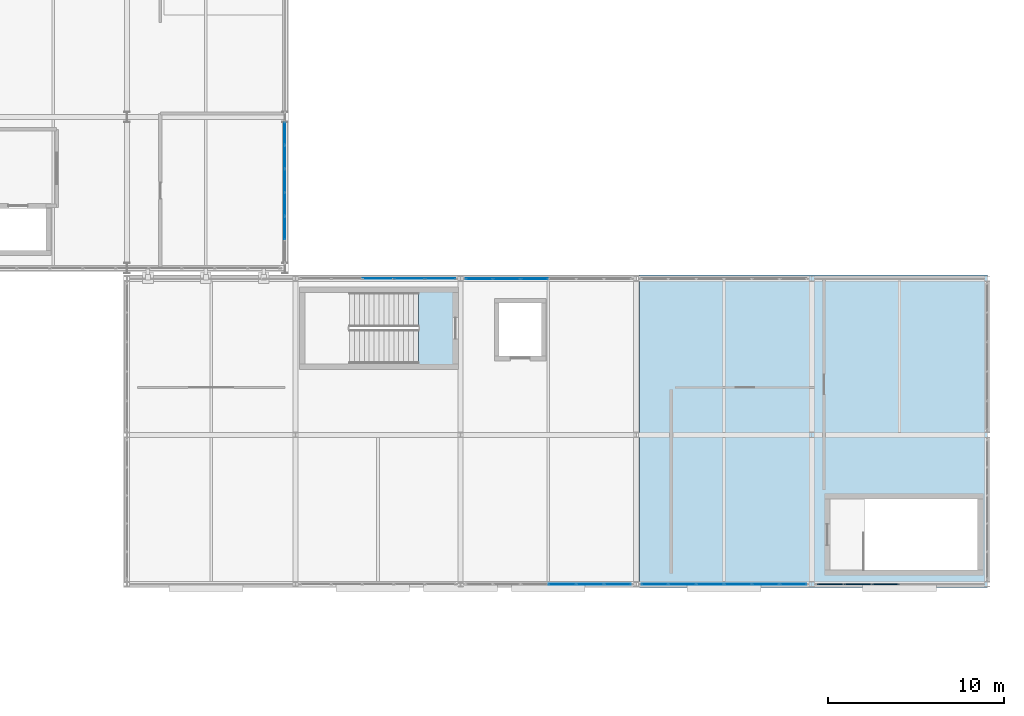
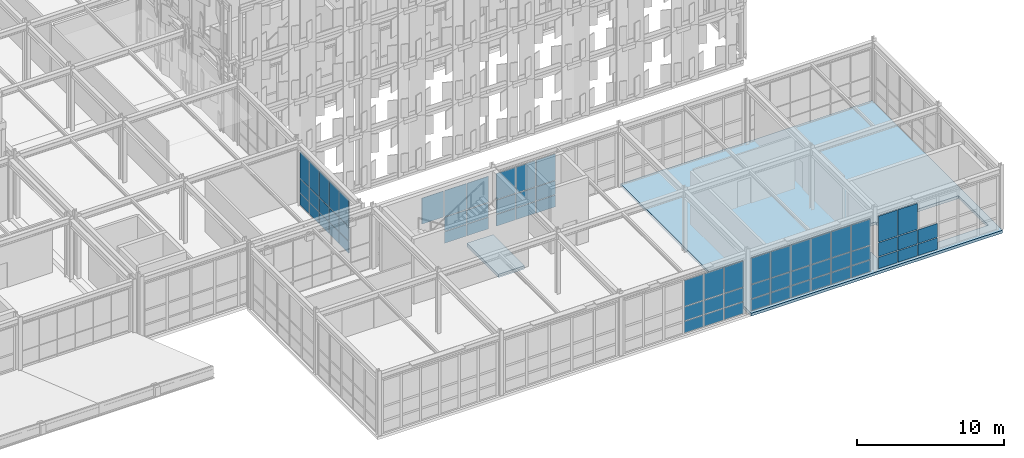
# One storey, part 192 of 239: 66 plates, 2 slabs, 6 elements without a shape of their own.
"""IFC4 building model written with IfcOpenShell, lengths in metres."""

from ifc_helpers import new_model, si_unit, direction, frame, origin, origin_2d, place, context, subcontext, project, spatial, polyline, rectangle, outline, extrude, material, layer, layer_set, type_object, element, aggregate, save


model = new_model("IFC4")

# Units and contexts
model_context = context("Model", 3, precision=1e-05, world=origin(), true_north=direction((0.0, 1.0)))
body_context = subcontext(model_context, "Body", "Model", "MODEL_VIEW")
ifc_project = project(units=[si_unit("LENGTHUNIT", "METRE"), si_unit("AREAUNIT", "SQUARE_METRE"), si_unit("VOLUMEUNIT", "CUBIC_METRE"), si_unit("PLANEANGLEUNIT", "RADIAN"), si_unit("MASSUNIT", "GRAM", prefix="KILO")], contexts=[model_context])

# Site, building, storey
site_placement = place(None, origin())
site = spatial("IfcSite", under=ifc_project, at=site_placement, CompositionType="ELEMENT")
building_placement = place(site_placement, origin())
building = spatial("IfcBuilding", under=site, at=building_placement, Name="Kaldris Quays Convention Centre", CompositionType="ELEMENT")
storey_placement = place(building_placement, frame((0.0, 0.0, 11.39990234375)))
storey = spatial("IfcBuildingStorey", under=building, at=storey_placement, Name="L02", CompositionType="ELEMENT", Elevation=11.39990234375)

# Curtain wall, plates
ifc_material_1 = material(Name="Anodized aluminium AW-6060 and triple glazing", Category="aluminium")
curtain_wall_type_1 = type_object("IfcCurtainWallType", Name="UNITISED CURTAIN WALL CW02", PredefinedType="NOTDEFINED", material=ifc_material_1)
curtain_wall_1_placement = place(storey_placement, origin())
curtain_wall_1 = element("IfcCurtainWall", 1, at=curtain_wall_1_placement, inside=storey, type_object=curtain_wall_type_1, Name="L02 Unitised Curtain Wall CW02 202", PredefinedType="NOTDEFINED")
ifc_material_2 = material(Name="Triple low-E insulated glazing", Category="glass")
plate_type_1 = type_object("IfcPlateType", Name="CURTAIN GLAZING PANEL CWP2", PredefinedType="CURTAIN_PANEL", material=ifc_material_2)
plate_1_placement = place(storey_placement, frame((169.300048828125, 37.39990234375, 2.279296875), z_axis=(0.0, 0.0, 1.0), x_axis=(1.0, 0.0, 0.0)))
plate_1 = element("IfcPlate", 2, at=plate_1_placement, type_object=plate_type_1, Name="CW02 panel 3.3", PredefinedType="CURTAIN_PANEL", context=body_context, shape_type="SweptSolid", body=[
    extrude(rectangle(XDim=1.719970703125, YDim=0.033935546875, at=origin_2d()), origin(), (0.0, 0.0, 1.0), 2.158935546875),
])
plate_2_placement = place(storey_placement, frame((171.080078125, 37.39990234375, 0.06005859375), z_axis=(0.0, 0.0, 1.0), x_axis=(1.0, 0.0, 0.0)))
plate_2 = element("IfcPlate", 3, at=plate_2_placement, type_object=plate_type_1, Name="CW02 panel 4.1", PredefinedType="CURTAIN_PANEL", context=body_context, shape_type="SweptSolid", body=[
    extrude(rectangle(XDim=1.719970703125, YDim=0.033935546875, at=origin_2d()), origin(), (0.0, 0.0, 1.0), 0.9599609375),
])
plate_3_placement = place(storey_placement, frame((171.080078125, 37.39990234375, 1.080078125), z_axis=(0.0, 0.0, 1.0), x_axis=(1.0, 0.0, 0.0)))
plate_3 = element("IfcPlate", 4, at=plate_3_placement, type_object=plate_type_1, Name="CW02 panel 4.2", PredefinedType="CURTAIN_PANEL", context=body_context, shape_type="SweptSolid", body=[
    extrude(rectangle(XDim=1.719970703125, YDim=0.033935546875, at=origin_2d()), origin(), (0.0, 0.0, 1.0), 1.138916015625),
])
plate_4_placement = place(storey_placement, frame((171.080078125, 37.39990234375, 2.279296875), z_axis=(0.0, 0.0, 1.0), x_axis=(1.0, 0.0, 0.0)))
plate_4 = element("IfcPlate", 5, at=plate_4_placement, type_object=plate_type_1, Name="CW02 panel 4.3", PredefinedType="CURTAIN_PANEL", context=body_context, shape_type="SweptSolid", body=[
    extrude(rectangle(XDim=1.719970703125, YDim=0.033935546875, at=origin_2d()), origin(), (0.0, 0.0, 1.0), 2.158935546875),
])
plate_5_placement = place(storey_placement, frame((172.844970703125, 37.39990234375, 0.06005859375), z_axis=(0.0, 0.0, 1.0), x_axis=(1.0, 0.0, 0.0)))
plate_5 = element("IfcPlate", 6, at=plate_5_placement, type_object=plate_type_1, Name="CW02 panel 5.1", PredefinedType="CURTAIN_PANEL", context=body_context, shape_type="SweptSolid", body=[
    extrude(rectangle(XDim=1.68994140625, YDim=0.033935546875, at=origin_2d()), origin(), (0.0, 0.0, 1.0), 0.9599609375),
])
plate_6_placement = place(storey_placement, frame((172.844970703125, 37.39990234375, 1.080078125), z_axis=(0.0, 0.0, 1.0), x_axis=(1.0, 0.0, 0.0)))
plate_6 = element("IfcPlate", 7, at=plate_6_placement, type_object=plate_type_1, Name="CW02 panel 5.2", PredefinedType="CURTAIN_PANEL", context=body_context, shape_type="SweptSolid", body=[
    extrude(rectangle(XDim=1.68994140625, YDim=0.033935546875, at=origin_2d()), origin(), (0.0, 0.0, 1.0), 1.138916015625),
])
plate_7_placement = place(storey_placement, frame((172.844970703125, 37.39990234375, 2.279296875), z_axis=(0.0, 0.0, 1.0), x_axis=(1.0, 0.0, 0.0)))
plate_7 = element("IfcPlate", 8, at=plate_7_placement, type_object=plate_type_1, Name="CW02 panel 5.3", PredefinedType="CURTAIN_PANEL", context=body_context, shape_type="SweptSolid", body=[
    extrude(rectangle(XDim=1.68994140625, YDim=0.033935546875, at=origin_2d()), origin(), (0.0, 0.0, 1.0), 2.158935546875),
])
aggregate(curtain_wall_1, [plate_1, plate_2, plate_3, plate_4, plate_5, plate_6, plate_7])

curtain_wall_2_placement = place(storey_placement, origin())
curtain_wall_2 = element("IfcCurtainWall", 9, at=curtain_wall_2_placement, inside=storey, type_object=curtain_wall_type_1, Name="L02 Unitised Curtain Wall CW02 203", PredefinedType="NOTDEFINED")
plate_type_2 = type_object("IfcPlateType", Name="CURTAIN GLAZING PANEL CWP3", PredefinedType="CURTAIN_PANEL", material=ifc_material_2)
plate_8_placement = place(storey_placement, frame((179.791748046875, 20.0, 0.06005859375), z_axis=(0.0, 0.0, 1.0), x_axis=(1.0, 0.0, 0.0)))
plate_8 = element("IfcPlate", 10, at=plate_8_placement, type_object=plate_type_2, Name="CW02 panel 4.1", PredefinedType="CURTAIN_PANEL", context=body_context, shape_type="SweptSolid", body=[
    extrude(rectangle(XDim=1.5234375, YDim=0.0390625, at=origin_2d()), origin(), (0.0, 0.0, 1.0), 0.9599609375),
])
plate_9_placement = place(storey_placement, frame((179.791748046875, 20.0, 1.080078125), z_axis=(0.0, 0.0, 1.0), x_axis=(1.0, 0.0, 0.0)))
plate_9 = element("IfcPlate", 11, at=plate_9_placement, type_object=plate_type_2, Name="CW02 panel 4.2", PredefinedType="CURTAIN_PANEL", context=body_context, shape_type="SweptSolid", body=[
    extrude(rectangle(XDim=1.5234375, YDim=0.0390625, at=origin_2d()), origin(), (0.0, 0.0, 1.0), 1.138916015625),
])
plate_10_placement = place(storey_placement, frame((179.791748046875, 20.0, 2.279296875), z_axis=(0.0, 0.0, 1.0), x_axis=(1.0, 0.0, 0.0)))
plate_10 = element("IfcPlate", 12, at=plate_10_placement, type_object=plate_type_2, Name="CW02 panel 4.3", PredefinedType="CURTAIN_PANEL", context=body_context, shape_type="SweptSolid", body=[
    extrude(rectangle(XDim=1.5234375, YDim=0.0390625, at=origin_2d()), origin(), (0.0, 0.0, 1.0), 2.158935546875),
])
plate_11_placement = place(storey_placement, frame((181.375, 20.0, 0.06005859375), z_axis=(0.0, 0.0, 1.0), x_axis=(1.0, 0.0, 0.0)))
plate_11 = element("IfcPlate", 13, at=plate_11_placement, type_object=plate_type_2, Name="CW02 panel 5.1", PredefinedType="CURTAIN_PANEL", context=body_context, shape_type="SweptSolid", body=[
    extrude(rectangle(XDim=1.5234375, YDim=0.0390625, at=origin_2d()), origin(), (0.0, 0.0, 1.0), 0.9599609375),
])
plate_12_placement = place(storey_placement, frame((181.375, 20.0, 1.080078125), z_axis=(0.0, 0.0, 1.0), x_axis=(1.0, 0.0, 0.0)))
plate_12 = element("IfcPlate", 14, at=plate_12_placement, type_object=plate_type_2, Name="CW02 panel 5.2", PredefinedType="CURTAIN_PANEL", context=body_context, shape_type="SweptSolid", body=[
    extrude(rectangle(XDim=1.5234375, YDim=0.0390625, at=origin_2d()), origin(), (0.0, 0.0, 1.0), 1.138916015625),
])
plate_13_placement = place(storey_placement, frame((181.375, 20.0, 2.279296875), z_axis=(0.0, 0.0, 1.0), x_axis=(1.0, 0.0, 0.0)))
plate_13 = element("IfcPlate", 15, at=plate_13_placement, type_object=plate_type_2, Name="CW02 panel 5.3", PredefinedType="CURTAIN_PANEL", context=body_context, shape_type="SweptSolid", body=[
    extrude(rectangle(XDim=1.5234375, YDim=0.0390625, at=origin_2d()), origin(), (0.0, 0.0, 1.0), 2.158935546875),
])
plate_14_placement = place(storey_placement, frame((182.943359375, 20.0, 0.06005859375), z_axis=(0.0, 0.0, 1.0), x_axis=(1.0, 0.0, 0.0)))
plate_14 = element("IfcPlate", 16, at=plate_14_placement, type_object=plate_type_2, Name="CW02 panel 6.1", PredefinedType="CURTAIN_PANEL", context=body_context, shape_type="SweptSolid", body=[
    extrude(rectangle(XDim=1.493408203125, YDim=0.0390625, at=origin_2d()), origin(), (0.0, 0.0, 1.0), 0.9599609375),
])
plate_15_placement = place(storey_placement, frame((182.943359375, 20.0, 1.080078125), z_axis=(0.0, 0.0, 1.0), x_axis=(1.0, 0.0, 0.0)))
plate_15 = element("IfcPlate", 17, at=plate_15_placement, type_object=plate_type_2, Name="CW02 panel 6.2", PredefinedType="CURTAIN_PANEL", context=body_context, shape_type="SweptSolid", body=[
    extrude(rectangle(XDim=1.493408203125, YDim=0.0390625, at=origin_2d()), origin(), (0.0, 0.0, 1.0), 1.138916015625),
])
plate_16_placement = place(storey_placement, frame((182.943359375, 20.0, 2.279296875), z_axis=(0.0, 0.0, 1.0), x_axis=(1.0, 0.0, 0.0)))
plate_16 = element("IfcPlate", 18, at=plate_16_placement, type_object=plate_type_2, Name="CW02 panel 6.3", PredefinedType="CURTAIN_PANEL", context=body_context, shape_type="SweptSolid", body=[
    extrude(rectangle(XDim=1.493408203125, YDim=0.0390625, at=origin_2d()), origin(), (0.0, 0.0, 1.0), 2.158935546875),
])
aggregate(curtain_wall_2, [plate_8, plate_9, plate_10, plate_11, plate_12, plate_13, plate_14, plate_15, plate_16])

curtain_wall_3_placement = place(storey_placement, origin())
curtain_wall_3 = element("IfcCurtainWall", 19, at=curtain_wall_3_placement, inside=storey, type_object=curtain_wall_type_1, Name="L02 Unitised Curtain Wall CW02 204", PredefinedType="NOTDEFINED")
plate_type_3 = type_object("IfcPlateType", Name="CURTAIN GLAZING PANEL CWP4", PredefinedType="CURTAIN_PANEL", material=ifc_material_2)
plate_17_placement = place(storey_placement, frame((175.056640625, 37.39990234375, 0.06005859375), z_axis=(0.0, 0.0, 1.0), x_axis=(1.0, 0.0, 0.0)))
plate_17 = element("IfcPlate", 20, at=plate_17_placement, type_object=plate_type_3, Name="CW02 panel 1.1", PredefinedType="CURTAIN_PANEL", context=body_context, shape_type="SweptSolid", body=[
    extrude(rectangle(XDim=1.493408203125, YDim=0.0439453125, at=origin_2d()), origin(), (0.0, 0.0, 1.0), 0.9599609375),
])
plate_18_placement = place(storey_placement, frame((175.056640625, 37.39990234375, 1.080078125), z_axis=(0.0, 0.0, 1.0), x_axis=(1.0, 0.0, 0.0)))
plate_18 = element("IfcPlate", 21, at=plate_18_placement, type_object=plate_type_3, Name="CW02 panel 1.2", PredefinedType="CURTAIN_PANEL", context=body_context, shape_type="SweptSolid", body=[
    extrude(rectangle(XDim=1.493408203125, YDim=0.0439453125, at=origin_2d()), origin(), (0.0, 0.0, 1.0), 1.138916015625),
])
plate_19_placement = place(storey_placement, frame((175.056640625, 37.39990234375, 2.279296875), z_axis=(0.0, 0.0, 1.0), x_axis=(1.0, 0.0, 0.0)))
plate_19 = element("IfcPlate", 22, at=plate_19_placement, type_object=plate_type_3, Name="CW02 panel 1.3", PredefinedType="CURTAIN_PANEL", context=body_context, shape_type="SweptSolid", body=[
    extrude(rectangle(XDim=1.493408203125, YDim=0.0439453125, at=origin_2d()), origin(), (0.0, 0.0, 1.0), 2.158935546875),
])
plate_20_placement = place(storey_placement, frame((176.625, 37.39990234375, 0.06005859375), z_axis=(0.0, 0.0, 1.0), x_axis=(1.0, 0.0, 0.0)))
plate_20 = element("IfcPlate", 23, at=plate_20_placement, type_object=plate_type_3, Name="CW02 panel 2.1", PredefinedType="CURTAIN_PANEL", context=body_context, shape_type="SweptSolid", body=[
    extrude(rectangle(XDim=1.5234375, YDim=0.0439453125, at=origin_2d()), origin(), (0.0, 0.0, 1.0), 0.9599609375),
])
plate_21_placement = place(storey_placement, frame((176.625, 37.39990234375, 1.080078125), z_axis=(0.0, 0.0, 1.0), x_axis=(1.0, 0.0, 0.0)))
plate_21 = element("IfcPlate", 24, at=plate_21_placement, type_object=plate_type_3, Name="CW02 panel 2.2", PredefinedType="CURTAIN_PANEL", context=body_context, shape_type="SweptSolid", body=[
    extrude(rectangle(XDim=1.5234375, YDim=0.0439453125, at=origin_2d()), origin(), (0.0, 0.0, 1.0), 1.138916015625),
])
plate_22_placement = place(storey_placement, frame((176.625, 37.39990234375, 2.279296875), z_axis=(0.0, 0.0, 1.0), x_axis=(1.0, 0.0, 0.0)))
plate_22 = element("IfcPlate", 25, at=plate_22_placement, type_object=plate_type_3, Name="CW02 panel 2.3", PredefinedType="CURTAIN_PANEL", context=body_context, shape_type="SweptSolid", body=[
    extrude(rectangle(XDim=1.5234375, YDim=0.0439453125, at=origin_2d()), origin(), (0.0, 0.0, 1.0), 2.158935546875),
])
plate_23_placement = place(storey_placement, frame((178.208251953125, 37.39990234375, 0.06005859375), z_axis=(0.0, 0.0, 1.0), x_axis=(1.0, 0.0, 0.0)))
plate_23 = element("IfcPlate", 26, at=plate_23_placement, type_object=plate_type_3, Name="CW02 panel 3.1", PredefinedType="CURTAIN_PANEL", context=body_context, shape_type="SweptSolid", body=[
    extrude(rectangle(XDim=1.5234375, YDim=0.0439453125, at=origin_2d()), origin(), (0.0, 0.0, 1.0), 0.9599609375),
])
plate_24_placement = place(storey_placement, frame((178.208251953125, 37.39990234375, 1.080078125), z_axis=(0.0, 0.0, 1.0), x_axis=(1.0, 0.0, 0.0)))
plate_24 = element("IfcPlate", 27, at=plate_24_placement, type_object=plate_type_3, Name="CW02 panel 3.2", PredefinedType="CURTAIN_PANEL", context=body_context, shape_type="SweptSolid", body=[
    extrude(rectangle(XDim=1.5234375, YDim=0.0439453125, at=origin_2d()), origin(), (0.0, 0.0, 1.0), 1.138916015625),
])
plate_25_placement = place(storey_placement, frame((178.208251953125, 37.39990234375, 2.279296875), z_axis=(0.0, 0.0, 1.0), x_axis=(1.0, 0.0, 0.0)))
plate_25 = element("IfcPlate", 28, at=plate_25_placement, type_object=plate_type_3, Name="CW02 panel 3.3", PredefinedType="CURTAIN_PANEL", context=body_context, shape_type="SweptSolid", body=[
    extrude(rectangle(XDim=1.5234375, YDim=0.0439453125, at=origin_2d()), origin(), (0.0, 0.0, 1.0), 2.158935546875),
])
aggregate(curtain_wall_3, [plate_17, plate_18, plate_19, plate_20, plate_21, plate_22, plate_23, plate_24, plate_25])

curtain_wall_4_placement = place(storey_placement, origin())
curtain_wall_4 = element("IfcCurtainWall", 29, at=curtain_wall_4_placement, inside=storey, type_object=curtain_wall_type_1, Name="L02 Unitised Curtain Wall CW02 205", PredefinedType="NOTDEFINED")
plate_type_4 = type_object("IfcPlateType", Name="CURTAIN GLAZING PANEL CWP5", PredefinedType="CURTAIN_PANEL", material=ifc_material_2)
plate_26_placement = place(storey_placement, frame((185.056640625, 20.0, 0.06005859375), z_axis=(0.0, 0.0, 1.0), x_axis=(1.0, 0.0, 0.0)))
plate_26 = element("IfcPlate", 30, at=plate_26_placement, type_object=plate_type_4, Name="CW02 panel 1.1", PredefinedType="CURTAIN_PANEL", context=body_context, shape_type="SweptSolid", body=[
    extrude(rectangle(XDim=1.493408203125, YDim=0.049072265625, at=origin_2d()), origin(), (0.0, 0.0, 1.0), 0.9599609375),
])
plate_27_placement = place(storey_placement, frame((185.056640625, 20.0, 1.080078125), z_axis=(0.0, 0.0, 1.0), x_axis=(1.0, 0.0, 0.0)))
plate_27 = element("IfcPlate", 31, at=plate_27_placement, type_object=plate_type_4, Name="CW02 panel 1.2", PredefinedType="CURTAIN_PANEL", context=body_context, shape_type="SweptSolid", body=[
    extrude(rectangle(XDim=1.493408203125, YDim=0.049072265625, at=origin_2d()), origin(), (0.0, 0.0, 1.0), 1.138916015625),
])
plate_28_placement = place(storey_placement, frame((185.056640625, 20.0, 2.279296875), z_axis=(0.0, 0.0, 1.0), x_axis=(1.0, 0.0, 0.0)))
plate_28 = element("IfcPlate", 32, at=plate_28_placement, type_object=plate_type_4, Name="CW02 panel 1.3", PredefinedType="CURTAIN_PANEL", context=body_context, shape_type="SweptSolid", body=[
    extrude(rectangle(XDim=1.493408203125, YDim=0.049072265625, at=origin_2d()), origin(), (0.0, 0.0, 1.0), 2.158935546875),
])
plate_29_placement = place(storey_placement, frame((186.625, 20.0, 0.06005859375), z_axis=(0.0, 0.0, 1.0), x_axis=(1.0, 0.0, 0.0)))
plate_29 = element("IfcPlate", 33, at=plate_29_placement, type_object=plate_type_4, Name="CW02 panel 2.1", PredefinedType="CURTAIN_PANEL", context=body_context, shape_type="SweptSolid", body=[
    extrude(rectangle(XDim=1.5234375, YDim=0.049072265625, at=origin_2d()), origin(), (0.0, 0.0, 1.0), 0.9599609375),
])
plate_30_placement = place(storey_placement, frame((186.625, 20.0, 1.080078125), z_axis=(0.0, 0.0, 1.0), x_axis=(1.0, 0.0, 0.0)))
plate_30 = element("IfcPlate", 34, at=plate_30_placement, type_object=plate_type_4, Name="CW02 panel 2.2", PredefinedType="CURTAIN_PANEL", context=body_context, shape_type="SweptSolid", body=[
    extrude(rectangle(XDim=1.5234375, YDim=0.049072265625, at=origin_2d()), origin(), (0.0, 0.0, 1.0), 1.138916015625),
])
plate_31_placement = place(storey_placement, frame((186.625, 20.0, 2.279296875), z_axis=(0.0, 0.0, 1.0), x_axis=(1.0, 0.0, 0.0)))
plate_31 = element("IfcPlate", 35, at=plate_31_placement, type_object=plate_type_4, Name="CW02 panel 2.3", PredefinedType="CURTAIN_PANEL", context=body_context, shape_type="SweptSolid", body=[
    extrude(rectangle(XDim=1.5234375, YDim=0.049072265625, at=origin_2d()), origin(), (0.0, 0.0, 1.0), 2.158935546875),
])
plate_32_placement = place(storey_placement, frame((188.208251953125, 20.0, 0.06005859375), z_axis=(0.0, 0.0, 1.0), x_axis=(1.0, 0.0, 0.0)))
plate_32 = element("IfcPlate", 36, at=plate_32_placement, type_object=plate_type_4, Name="CW02 panel 3.1", PredefinedType="CURTAIN_PANEL", context=body_context, shape_type="SweptSolid", body=[
    extrude(rectangle(XDim=1.5234375, YDim=0.049072265625, at=origin_2d()), origin(), (0.0, 0.0, 1.0), 0.9599609375),
])
plate_33_placement = place(storey_placement, frame((188.208251953125, 20.0, 1.080078125), z_axis=(0.0, 0.0, 1.0), x_axis=(1.0, 0.0, 0.0)))
plate_33 = element("IfcPlate", 37, at=plate_33_placement, type_object=plate_type_4, Name="CW02 panel 3.2", PredefinedType="CURTAIN_PANEL", context=body_context, shape_type="SweptSolid", body=[
    extrude(rectangle(XDim=1.5234375, YDim=0.049072265625, at=origin_2d()), origin(), (0.0, 0.0, 1.0), 1.138916015625),
])
plate_34_placement = place(storey_placement, frame((188.208251953125, 20.0, 2.279296875), z_axis=(0.0, 0.0, 1.0), x_axis=(1.0, 0.0, 0.0)))
plate_34 = element("IfcPlate", 38, at=plate_34_placement, type_object=plate_type_4, Name="CW02 panel 3.3", PredefinedType="CURTAIN_PANEL", context=body_context, shape_type="SweptSolid", body=[
    extrude(rectangle(XDim=1.5234375, YDim=0.049072265625, at=origin_2d()), origin(), (0.0, 0.0, 1.0), 2.158935546875),
])
plate_35_placement = place(storey_placement, frame((189.791748046875, 20.0, 0.06005859375), z_axis=(0.0, 0.0, 1.0), x_axis=(1.0, 0.0, 0.0)))
plate_35 = element("IfcPlate", 39, at=plate_35_placement, type_object=plate_type_4, Name="CW02 panel 4.1", PredefinedType="CURTAIN_PANEL", context=body_context, shape_type="SweptSolid", body=[
    extrude(rectangle(XDim=1.5234375, YDim=0.049072265625, at=origin_2d()), origin(), (0.0, 0.0, 1.0), 0.9599609375),
])
plate_36_placement = place(storey_placement, frame((189.791748046875, 20.0, 1.080078125), z_axis=(0.0, 0.0, 1.0), x_axis=(1.0, 0.0, 0.0)))
plate_36 = element("IfcPlate", 40, at=plate_36_placement, type_object=plate_type_4, Name="CW02 panel 4.2", PredefinedType="CURTAIN_PANEL", context=body_context, shape_type="SweptSolid", body=[
    extrude(rectangle(XDim=1.5234375, YDim=0.049072265625, at=origin_2d()), origin(), (0.0, 0.0, 1.0), 1.138916015625),
])
plate_37_placement = place(storey_placement, frame((189.791748046875, 20.0, 2.279296875), z_axis=(0.0, 0.0, 1.0), x_axis=(1.0, 0.0, 0.0)))
plate_37 = element("IfcPlate", 41, at=plate_37_placement, type_object=plate_type_4, Name="CW02 panel 4.3", PredefinedType="CURTAIN_PANEL", context=body_context, shape_type="SweptSolid", body=[
    extrude(rectangle(XDim=1.5234375, YDim=0.049072265625, at=origin_2d()), origin(), (0.0, 0.0, 1.0), 2.158935546875),
])
plate_38_placement = place(storey_placement, frame((191.375, 20.0, 0.06005859375), z_axis=(0.0, 0.0, 1.0), x_axis=(1.0, 0.0, 0.0)))
plate_38 = element("IfcPlate", 42, at=plate_38_placement, type_object=plate_type_4, Name="CW02 panel 5.1", PredefinedType="CURTAIN_PANEL", context=body_context, shape_type="SweptSolid", body=[
    extrude(rectangle(XDim=1.5234375, YDim=0.049072265625, at=origin_2d()), origin(), (0.0, 0.0, 1.0), 0.9599609375),
])
plate_39_placement = place(storey_placement, frame((191.375, 20.0, 1.080078125), z_axis=(0.0, 0.0, 1.0), x_axis=(1.0, 0.0, 0.0)))
plate_39 = element("IfcPlate", 43, at=plate_39_placement, type_object=plate_type_4, Name="CW02 panel 5.2", PredefinedType="CURTAIN_PANEL", context=body_context, shape_type="SweptSolid", body=[
    extrude(rectangle(XDim=1.5234375, YDim=0.049072265625, at=origin_2d()), origin(), (0.0, 0.0, 1.0), 1.138916015625),
])
plate_40_placement = place(storey_placement, frame((191.375, 20.0, 2.279296875), z_axis=(0.0, 0.0, 1.0), x_axis=(1.0, 0.0, 0.0)))
plate_40 = element("IfcPlate", 44, at=plate_40_placement, type_object=plate_type_4, Name="CW02 panel 5.3", PredefinedType="CURTAIN_PANEL", context=body_context, shape_type="SweptSolid", body=[
    extrude(rectangle(XDim=1.5234375, YDim=0.049072265625, at=origin_2d()), origin(), (0.0, 0.0, 1.0), 2.158935546875),
])
plate_41_placement = place(storey_placement, frame((192.943359375, 20.0, 0.06005859375), z_axis=(0.0, 0.0, 1.0), x_axis=(1.0, 0.0, 0.0)))
plate_41 = element("IfcPlate", 45, at=plate_41_placement, type_object=plate_type_4, Name="CW02 panel 6.1", PredefinedType="CURTAIN_PANEL", context=body_context, shape_type="SweptSolid", body=[
    extrude(rectangle(XDim=1.493408203125, YDim=0.049072265625, at=origin_2d()), origin(), (0.0, 0.0, 1.0), 0.9599609375),
])
plate_42_placement = place(storey_placement, frame((192.943359375, 20.0, 1.080078125), z_axis=(0.0, 0.0, 1.0), x_axis=(1.0, 0.0, 0.0)))
plate_42 = element("IfcPlate", 46, at=plate_42_placement, type_object=plate_type_4, Name="CW02 panel 6.2", PredefinedType="CURTAIN_PANEL", context=body_context, shape_type="SweptSolid", body=[
    extrude(rectangle(XDim=1.493408203125, YDim=0.049072265625, at=origin_2d()), origin(), (0.0, 0.0, 1.0), 1.138916015625),
])
plate_43_placement = place(storey_placement, frame((192.943359375, 20.0, 2.279296875), z_axis=(0.0, 0.0, 1.0), x_axis=(1.0, 0.0, 0.0)))
plate_43 = element("IfcPlate", 47, at=plate_43_placement, type_object=plate_type_4, Name="CW02 panel 6.3", PredefinedType="CURTAIN_PANEL", context=body_context, shape_type="SweptSolid", body=[
    extrude(rectangle(XDim=1.493408203125, YDim=0.049072265625, at=origin_2d()), origin(), (0.0, 0.0, 1.0), 2.158935546875),
])
aggregate(curtain_wall_4, [plate_26, plate_27, plate_28, plate_29, plate_30, plate_31, plate_32, plate_33, plate_34, plate_35, plate_36, plate_37, plate_38, plate_39, plate_40, plate_41, plate_42, plate_43])

curtain_wall_type_2 = type_object("IfcCurtainWallType", Name="UNITISED CURTAIN WALL CW04", PredefinedType="NOTDEFINED", material=ifc_material_1)
curtain_wall_5_placement = place(storey_placement, origin())
curtain_wall_5 = element("IfcCurtainWall", 48, at=curtain_wall_5_placement, inside=storey, type_object=curtain_wall_type_2, Name="L02 Unitised Curtain Wall CW04 142", PredefinedType="NOTDEFINED")
plate_type_5 = type_object("IfcPlateType", Name="CURTAIN GLAZING PANEL CWP6", PredefinedType="CURTAIN_PANEL", material=ifc_material_2)
plate_44_placement = place(storey_placement, frame((164.0, 40.27490234375, 0.06005859375), z_axis=(0.0, 0.0, 1.0), x_axis=(0.0, 1.0, 0.0)))
plate_44 = element("IfcPlate", 49, at=plate_44_placement, type_object=plate_type_5, Name="CW04 panel 2.1", PredefinedType="CURTAIN_PANEL", context=body_context, shape_type="SweptSolid", body=[
    extrude(rectangle(XDim=1.2900390625, YDim=0.053955078125, at=origin_2d()), origin(), (0.0, 0.0, 1.0), 0.9599609375),
])
plate_45_placement = place(storey_placement, frame((164.0, 40.27490234375, 1.080078125), z_axis=(0.0, 0.0, 1.0), x_axis=(0.0, 1.0, 0.0)))
plate_45 = element("IfcPlate", 50, at=plate_45_placement, type_object=plate_type_5, Name="CW04 panel 2.2", PredefinedType="CURTAIN_PANEL", context=body_context, shape_type="SweptSolid", body=[
    extrude(rectangle(XDim=1.2900390625, YDim=0.053955078125, at=origin_2d()), origin(), (0.0, 0.0, 1.0), 1.1640625),
])
plate_46_placement = place(storey_placement, frame((164.0, 40.27490234375, 2.303955078125), z_axis=(0.0, 0.0, 1.0), x_axis=(0.0, 1.0, 0.0)))
plate_46 = element("IfcPlate", 51, at=plate_46_placement, type_object=plate_type_5, Name="CW04 panel 2.3", PredefinedType="CURTAIN_PANEL", context=body_context, shape_type="SweptSolid", body=[
    extrude(rectangle(XDim=1.2900390625, YDim=0.053955078125, at=origin_2d()), origin(), (0.0, 0.0, 1.0), 2.18408203125),
])
plate_47_placement = place(storey_placement, frame((164.0, 41.625, 0.06005859375), z_axis=(0.0, 0.0, 1.0), x_axis=(0.0, 1.0, 0.0)))
plate_47 = element("IfcPlate", 52, at=plate_47_placement, type_object=plate_type_5, Name="CW04 panel 3.1", PredefinedType="CURTAIN_PANEL", context=body_context, shape_type="SweptSolid", body=[
    extrude(rectangle(XDim=1.2900390625, YDim=0.053955078125, at=origin_2d()), origin(), (0.0, 0.0, 1.0), 0.9599609375),
])
plate_48_placement = place(storey_placement, frame((164.0, 41.625, 1.080078125), z_axis=(0.0, 0.0, 1.0), x_axis=(0.0, 1.0, 0.0)))
plate_48 = element("IfcPlate", 53, at=plate_48_placement, type_object=plate_type_5, Name="CW04 panel 3.2", PredefinedType="CURTAIN_PANEL", context=body_context, shape_type="SweptSolid", body=[
    extrude(rectangle(XDim=1.2900390625, YDim=0.053955078125, at=origin_2d()), origin(), (0.0, 0.0, 1.0), 1.1640625),
])
plate_49_placement = place(storey_placement, frame((164.0, 41.625, 2.303955078125), z_axis=(0.0, 0.0, 1.0), x_axis=(0.0, 1.0, 0.0)))
plate_49 = element("IfcPlate", 54, at=plate_49_placement, type_object=plate_type_5, Name="CW04 panel 3.3", PredefinedType="CURTAIN_PANEL", context=body_context, shape_type="SweptSolid", body=[
    extrude(rectangle(XDim=1.2900390625, YDim=0.053955078125, at=origin_2d()), origin(), (0.0, 0.0, 1.0), 2.18408203125),
])
plate_50_placement = place(storey_placement, frame((164.0, 42.97509765625, 0.06005859375), z_axis=(0.0, 0.0, 1.0), x_axis=(0.0, 1.0, 0.0)))
plate_50 = element("IfcPlate", 55, at=plate_50_placement, type_object=plate_type_5, Name="CW04 panel 4.1", PredefinedType="CURTAIN_PANEL", context=body_context, shape_type="SweptSolid", body=[
    extrude(rectangle(XDim=1.2900390625, YDim=0.053955078125, at=origin_2d()), origin(), (0.0, 0.0, 1.0), 0.9599609375),
])
plate_51_placement = place(storey_placement, frame((164.0, 42.97509765625, 1.080078125), z_axis=(0.0, 0.0, 1.0), x_axis=(0.0, 1.0, 0.0)))
plate_51 = element("IfcPlate", 56, at=plate_51_placement, type_object=plate_type_5, Name="CW04 panel 4.2", PredefinedType="CURTAIN_PANEL", context=body_context, shape_type="SweptSolid", body=[
    extrude(rectangle(XDim=1.2900390625, YDim=0.053955078125, at=origin_2d()), origin(), (0.0, 0.0, 1.0), 1.1640625),
])
plate_52_placement = place(storey_placement, frame((164.0, 42.97509765625, 2.303955078125), z_axis=(0.0, 0.0, 1.0), x_axis=(0.0, 1.0, 0.0)))
plate_52 = element("IfcPlate", 57, at=plate_52_placement, type_object=plate_type_5, Name="CW04 panel 4.3", PredefinedType="CURTAIN_PANEL", context=body_context, shape_type="SweptSolid", body=[
    extrude(rectangle(XDim=1.2900390625, YDim=0.053955078125, at=origin_2d()), origin(), (0.0, 0.0, 1.0), 2.18408203125),
])
plate_53_placement = place(storey_placement, frame((164.0, 44.324951171875, 0.06005859375), z_axis=(0.0, 0.0, 1.0), x_axis=(0.0, 1.0, 0.0)))
plate_53 = element("IfcPlate", 58, at=plate_53_placement, type_object=plate_type_5, Name="CW04 panel 5.1", PredefinedType="CURTAIN_PANEL", context=body_context, shape_type="SweptSolid", body=[
    extrude(rectangle(XDim=1.2900390625, YDim=0.053955078125, at=origin_2d()), origin(), (0.0, 0.0, 1.0), 0.9599609375),
])
plate_54_placement = place(storey_placement, frame((164.0, 44.324951171875, 1.080078125), z_axis=(0.0, 0.0, 1.0), x_axis=(0.0, 1.0, 0.0)))
plate_54 = element("IfcPlate", 59, at=plate_54_placement, type_object=plate_type_5, Name="CW04 panel 5.2", PredefinedType="CURTAIN_PANEL", context=body_context, shape_type="SweptSolid", body=[
    extrude(rectangle(XDim=1.2900390625, YDim=0.053955078125, at=origin_2d()), origin(), (0.0, 0.0, 1.0), 1.1640625),
])
plate_55_placement = place(storey_placement, frame((164.0, 44.324951171875, 2.303955078125), z_axis=(0.0, 0.0, 1.0), x_axis=(0.0, 1.0, 0.0)))
plate_55 = element("IfcPlate", 60, at=plate_55_placement, type_object=plate_type_5, Name="CW04 panel 5.3", PredefinedType="CURTAIN_PANEL", context=body_context, shape_type="SweptSolid", body=[
    extrude(rectangle(XDim=1.2900390625, YDim=0.053955078125, at=origin_2d()), origin(), (0.0, 0.0, 1.0), 2.18408203125),
])
plate_56_placement = place(storey_placement, frame((164.0, 45.659912109375, 0.06005859375), z_axis=(0.0, 0.0, 1.0), x_axis=(0.0, 1.0, 0.0)))
plate_56 = element("IfcPlate", 61, at=plate_56_placement, type_object=plate_type_5, Name="CW04 panel 6.1", PredefinedType="CURTAIN_PANEL", context=body_context, shape_type="SweptSolid", body=[
    extrude(rectangle(XDim=1.260009765625, YDim=0.053955078125, at=origin_2d()), origin(), (0.0, 0.0, 1.0), 0.9599609375),
])
plate_57_placement = place(storey_placement, frame((164.0, 45.659912109375, 1.080078125), z_axis=(0.0, 0.0, 1.0), x_axis=(0.0, 1.0, 0.0)))
plate_57 = element("IfcPlate", 62, at=plate_57_placement, type_object=plate_type_5, Name="CW04 panel 6.2", PredefinedType="CURTAIN_PANEL", context=body_context, shape_type="SweptSolid", body=[
    extrude(rectangle(XDim=1.260009765625, YDim=0.053955078125, at=origin_2d()), origin(), (0.0, 0.0, 1.0), 1.1640625),
])
plate_58_placement = place(storey_placement, frame((164.0, 45.659912109375, 2.303955078125), z_axis=(0.0, 0.0, 1.0), x_axis=(0.0, 1.0, 0.0)))
plate_58 = element("IfcPlate", 63, at=plate_58_placement, type_object=plate_type_5, Name="CW04 panel 6.3", PredefinedType="CURTAIN_PANEL", context=body_context, shape_type="SweptSolid", body=[
    extrude(rectangle(XDim=1.260009765625, YDim=0.053955078125, at=origin_2d()), origin(), (0.0, 0.0, 1.0), 2.18408203125),
])
aggregate(curtain_wall_5, [plate_44, plate_45, plate_46, plate_47, plate_48, plate_49, plate_50, plate_51, plate_52, plate_53, plate_54, plate_55, plate_56, plate_57, plate_58])

curtain_wall_6_placement = place(storey_placement, origin())
curtain_wall_6 = element("IfcCurtainWall", 64, at=curtain_wall_6_placement, inside=storey, type_object=curtain_wall_type_1, Name="L02 Unitised Curtain Wall CW02 207", PredefinedType="NOTDEFINED")
plate_type_6 = type_object("IfcPlateType", Name="CURTAIN GLAZING PANEL CWP7", PredefinedType="CURTAIN_PANEL", material=ifc_material_2)
plate_59_placement = place(storey_placement, frame((195.056640625, 20.0, 0.06005859375), z_axis=(0.0, 0.0, 1.0), x_axis=(1.0, 0.0, 0.0)))
plate_59 = element("IfcPlate", 65, at=plate_59_placement, type_object=plate_type_6, Name="CW02 panel 1.1", PredefinedType="CURTAIN_PANEL", context=body_context, shape_type="SweptSolid", body=[
    extrude(rectangle(XDim=1.493408203125, YDim=0.05908203125, at=origin_2d()), origin(), (0.0, 0.0, 1.0), 0.9599609375),
])
plate_60_placement = place(storey_placement, frame((195.056640625, 20.0, 1.080078125), z_axis=(0.0, 0.0, 1.0), x_axis=(1.0, 0.0, 0.0)))
plate_60 = element("IfcPlate", 66, at=plate_60_placement, type_object=plate_type_6, Name="CW02 panel 1.2", PredefinedType="CURTAIN_PANEL", context=body_context, shape_type="SweptSolid", body=[
    extrude(rectangle(XDim=1.493408203125, YDim=0.05908203125, at=origin_2d()), origin(), (0.0, 0.0, 1.0), 1.138916015625),
])
plate_61_placement = place(storey_placement, frame((195.056640625, 20.0, 2.279296875), z_axis=(0.0, 0.0, 1.0), x_axis=(1.0, 0.0, 0.0)))
plate_61 = element("IfcPlate", 67, at=plate_61_placement, type_object=plate_type_6, Name="CW02 panel 1.3", PredefinedType="CURTAIN_PANEL", context=body_context, shape_type="SweptSolid", body=[
    extrude(rectangle(XDim=1.493408203125, YDim=0.05908203125, at=origin_2d()), origin(), (0.0, 0.0, 1.0), 2.158935546875),
])
plate_62_placement = place(storey_placement, frame((196.625, 20.0, 0.06005859375), z_axis=(0.0, 0.0, 1.0), x_axis=(1.0, 0.0, 0.0)))
plate_62 = element("IfcPlate", 68, at=plate_62_placement, type_object=plate_type_6, Name="CW02 panel 2.1", PredefinedType="CURTAIN_PANEL", context=body_context, shape_type="SweptSolid", body=[
    extrude(rectangle(XDim=1.5234375, YDim=0.05908203125, at=origin_2d()), origin(), (0.0, 0.0, 1.0), 0.9599609375),
])
plate_63_placement = place(storey_placement, frame((196.625, 20.0, 1.080078125), z_axis=(0.0, 0.0, 1.0), x_axis=(1.0, 0.0, 0.0)))
plate_63 = element("IfcPlate", 69, at=plate_63_placement, type_object=plate_type_6, Name="CW02 panel 2.2", PredefinedType="CURTAIN_PANEL", context=body_context, shape_type="SweptSolid", body=[
    extrude(rectangle(XDim=1.5234375, YDim=0.05908203125, at=origin_2d()), origin(), (0.0, 0.0, 1.0), 1.138916015625),
])
plate_64_placement = place(storey_placement, frame((196.625, 20.0, 2.279296875), z_axis=(0.0, 0.0, 1.0), x_axis=(1.0, 0.0, 0.0)))
plate_64 = element("IfcPlate", 70, at=plate_64_placement, type_object=plate_type_6, Name="CW02 panel 2.3", PredefinedType="CURTAIN_PANEL", context=body_context, shape_type="SweptSolid", body=[
    extrude(rectangle(XDim=1.5234375, YDim=0.05908203125, at=origin_2d()), origin(), (0.0, 0.0, 1.0), 2.158935546875),
])
plate_65_placement = place(storey_placement, frame((198.208251953125, 20.0, 0.06005859375), z_axis=(0.0, 0.0, 1.0), x_axis=(1.0, 0.0, 0.0)))
plate_65 = element("IfcPlate", 71, at=plate_65_placement, type_object=plate_type_6, Name="CW02 panel 3.1", PredefinedType="CURTAIN_PANEL", context=body_context, shape_type="SweptSolid", body=[
    extrude(rectangle(XDim=1.5234375, YDim=0.05908203125, at=origin_2d()), origin(), (0.0, 0.0, 1.0), 0.9599609375),
])
plate_66_placement = place(storey_placement, frame((198.208251953125, 20.0, 1.080078125), z_axis=(0.0, 0.0, 1.0), x_axis=(1.0, 0.0, 0.0)))
plate_66 = element("IfcPlate", 72, at=plate_66_placement, type_object=plate_type_6, Name="CW02 panel 3.2", PredefinedType="CURTAIN_PANEL", context=body_context, shape_type="SweptSolid", body=[
    extrude(rectangle(XDim=1.5234375, YDim=0.05908203125, at=origin_2d()), origin(), (0.0, 0.0, 1.0), 1.138916015625),
])
aggregate(curtain_wall_6, [plate_59, plate_60, plate_61, plate_62, plate_63, plate_64, plate_65, plate_66])

# Slabs
ifc_material_3 = material(Name="Concrete C35/45", Category="concrete")
ifc_layer_1 = layer(ifc_material_3, 0.27490234375)
ifc_layer_set_1 = layer_set([ifc_layer_1], Name="Concrete C35/45")
slab_type_1 = type_object("IfcSlabType", Name="STRUCTURAL SLAB FS05", PredefinedType="FLOOR", material=ifc_layer_set_1)
slab_1_placement = place(storey_placement, frame((0.0, 0.0, -0.27490234375)))
element("IfcSlab", 73, at=slab_1_placement, inside=storey, type_object=slab_type_1, Name="L02 ST15 Core Floor Landing Slab", PredefinedType="FLOOR", context=body_context, shape_type="SweptSolid", body=[
    extrude(outline(polyline([(173.669921875, 36.719970703125), (171.60009765625, 36.719970703125), (171.60009765625, 32.429931640625), (173.669921875, 32.429931640625), (173.669921875, 36.719970703125)])), origin(), (0.0, 0.0, 1.0), 0.27490234375),
])
ifc_layer_2 = layer(ifc_material_3, 0.235107421875)
ifc_layer_set_2 = layer_set([ifc_layer_2], Name="Concrete C35/45")
slab_type_2 = type_object("IfcSlabType", Name="STRUCTURAL SLAB FS07", PredefinedType="FLOOR", material=ifc_layer_set_2)
slab_2_placement = place(storey_placement, frame((0.0, 0.0, -0.23486328125)))
element("IfcSlab", 74, at=slab_2_placement, inside=storey, type_object=slab_type_2, Name="L02 V5 L02 Restaurant B SLAB-L02-V5B", PredefinedType="FLOOR", context=body_context, shape_type="SweptSolid", body=[
    extrude(outline(polyline([(204.0, 37.60009765625), (204.0, 19.800048828125), (184.201904296875, 19.800048828125), (184.201904296875, 37.60009765625), (204.0, 37.60009765625)]), holes=[polyline([(194.929443359375, 20.677978515625), (197.000244140625, 20.677978515625), (197.001953125, 20.800048828125), (203.449951171875, 20.800048828125), (203.449951171875, 24.85009765625), (197.001953125, 24.85009765625), (197.000244140625, 24.971923828125), (194.92919921875, 24.9716796875), (194.929443359375, 20.677978515625)])]), origin(), (0.0, 0.0, 1.0), 0.23486328125),
])

save(model, "model.ifc")
